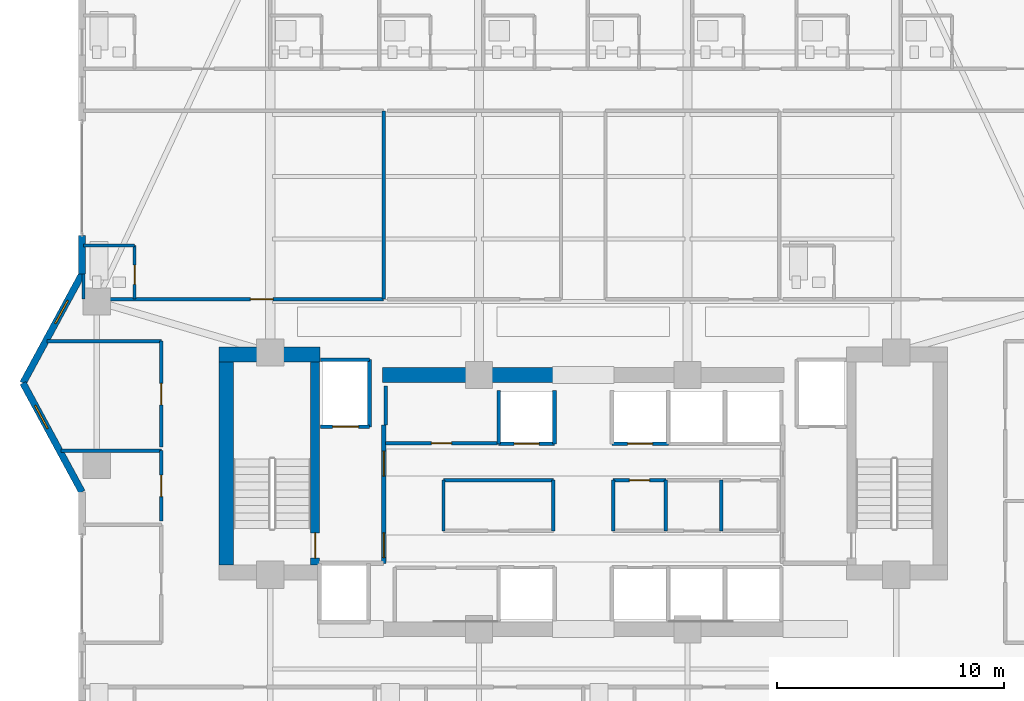
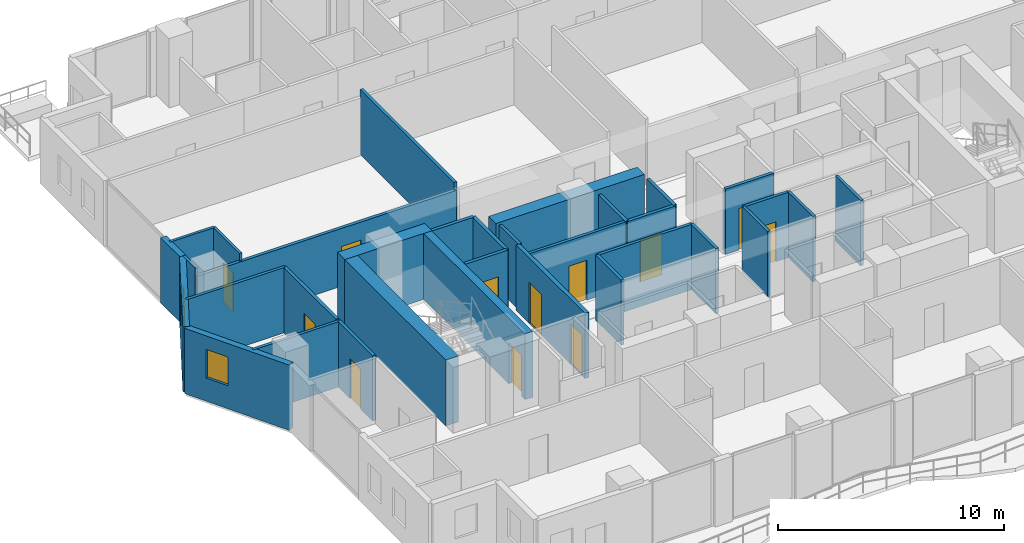
# One storey, part 25 of 33: 33 walls, 12 doors, 2 windows, 14 openings.
"""IFC4 building model written with IfcOpenShell, lengths in metres."""

import ifcopenshell
import ifcopenshell.guid

model = None  # the IFC model being written
_history = None  # IfcOwnerHistory: only IFC2X3 demands one
_inside = {}  # id of a spatial element -> (the spatial element, [elements in it])
_under = {}  # id of a project, library or spatial element -> (it, [spatial elements below it])
_declared = {}  # id of a project -> (the project, [libraries it declares])
_typed = {}  # id of a type object -> (the type object, [elements of that type])
_made_of = {}  # id of a material, layer set ... -> (it, [elements and type objects made of it])


def new_model(schema):
    """Start an empty IFC model of exactly this schema.

    Asked for "IFC4X3", IfcOpenShell would pick the latest addendum, in which some entities
    have other attributes; the version numbers below select the first issue.
    IFC2X3 requires an IfcOwnerHistory on every rooted entity: one is made here for all.
    """
    global model, _history
    if schema == "IFC4X3":
        model = ifcopenshell.file(schema_version=(4, 3, 0, 0))
    else:
        model = ifcopenshell.file(schema=schema)
    _inside.clear()
    _under.clear()
    _declared.clear()
    _typed.clear()
    _made_of.clear()
    _history = None
    if model.schema == "IFC2X3":
        org = make("IfcOrganization", Name="unknown")
        user = make(
            "IfcPersonAndOrganization",
            ThePerson=make("IfcPerson", FamilyName="unknown"),
            TheOrganization=org,
        )
        app = make(
            "IfcApplication",
            ApplicationDeveloper=org,
            Version="unknown",
            ApplicationFullName="unknown",
            ApplicationIdentifier="unknown",
        )
        _history = make(
            "IfcOwnerHistory",
            OwningUser=user,
            OwningApplication=app,
            ChangeAction="ADDED",
            CreationDate=0,
        )
    return model


def make(cls, **values):
    """One entity of the class cls with the attributes given. An attribute that is None is left unset."""
    return model.create_entity(
        cls, **{name: value for name, value in values.items() if value is not None}
    )


def rooted(cls, **values):
    """An entity with a GlobalId (a new one), such as an element, a storey or a relation."""
    return make(cls, GlobalId=ifcopenshell.guid.new(), OwnerHistory=_history, **values)


def si_unit(unit_type, name, prefix=None):
    """IfcSIUnit, for example si_unit("LENGTHUNIT", "METRE", prefix="MILLI")."""
    return make("IfcSIUnit", UnitType=unit_type, Prefix=prefix, Name=name)


def assignment(units):
    """IfcUnitAssignment: the units of a project."""
    return None if units is None else make("IfcUnitAssignment", Units=units)


def point(xyz):
    """IfcCartesianPoint."""
    return None if xyz is None else make("IfcCartesianPoint", Coordinates=xyz)


def direction(xyz):
    """IfcDirection."""
    return None if xyz is None else make("IfcDirection", DirectionRatios=xyz)


def frame(location, z_axis=None, x_axis=None):
    """IfcAxis2Placement3D, a coordinate frame: its origin and axes. An axis left out is left unset."""
    return make(
        "IfcAxis2Placement3D",
        Location=point(location),
        Axis=direction(z_axis),
        RefDirection=direction(x_axis),
    )


def frame_2d(location, x_axis=None):
    """IfcAxis2Placement2D, a coordinate frame in the plane: its origin and x axis."""
    return make(
        "IfcAxis2Placement2D", Location=point(location), RefDirection=direction(x_axis)
    )


def origin():
    """The frame at (0, 0, 0) with its axes left unset."""
    return frame((0.0, 0.0, 0.0))


def place(relative_to, where):
    """IfcLocalPlacement: puts the frame where relative to a parent placement (None: the world)."""
    return make(
        "IfcLocalPlacement", PlacementRelTo=relative_to, RelativePlacement=where
    )


def context(
    kind, dimensions, precision=None, world=None, true_north=None, identifier=None
):
    """IfcGeometricRepresentationContext, for example the 3D "Model" context."""
    return make(
        "IfcGeometricRepresentationContext",
        ContextIdentifier=identifier,
        ContextType=kind,
        CoordinateSpaceDimension=dimensions,
        Precision=precision,
        WorldCoordinateSystem=world,
        TrueNorth=true_north,
    )


def subcontext(parent, identifier, kind, view, scale=None):
    """IfcGeometricRepresentationSubContext, for example "Body" below "Model"."""
    return make(
        "IfcGeometricRepresentationSubContext",
        ContextIdentifier=identifier,
        ContextType=kind,
        ParentContext=parent,
        TargetScale=scale,
        TargetView=view,
    )


def project(units=None, contexts=None):
    """IfcProject with its units and contexts."""
    return rooted(
        "IfcProject",
        Name="project",
        RepresentationContexts=contexts,
        UnitsInContext=assignment(units),
    )


def spatial(cls, under=None, at=None, **own):
    """A site, building, storey or space (cls), placed at a placement, below another one or the project."""
    s = rooted(cls, ObjectPlacement=at, **own)
    if under is not None:
        _under.setdefault(under.id(), (under, []))[1].append(s)
    return s


def profile(cls, at=None, kind="AREA", **sizes):
    """A parametric profile (cls). Its sizes go by their IFC names, for example OverallWidth=200.0."""
    return make(cls, ProfileType=kind, Position=at, **sizes)


def rectangle(**sizes):
    """IfcRectangleProfileDef."""
    return profile("IfcRectangleProfileDef", **sizes)


def extrude(swept, where, along, depth):
    """IfcExtrudedAreaSolid: the profile swept, set in the frame where, extruded along a direction by depth."""
    return make(
        "IfcExtrudedAreaSolid",
        SweptArea=swept,
        Position=where,
        ExtrudedDirection=direction(along),
        Depth=depth,
    )


def shape(context_of_items, identifier, shape_type, items):
    """IfcShapeRepresentation: the items that make up one representation, for example the "Body"."""
    return make(
        "IfcShapeRepresentation",
        ContextOfItems=context_of_items,
        RepresentationIdentifier=identifier,
        RepresentationType=shape_type,
        Items=items,
    )


def material(Name=None, Category=None):
    """IfcMaterial."""
    return make("IfcMaterial", Name=Name, Category=Category)


def layer(
    of_material, thickness, ventilated=None, Name=None, Category=None, Priority=None
):
    """IfcMaterialLayer: one layer of a wall or slab, of a material (None: an air gap)."""
    return make(
        "IfcMaterialLayer",
        Material=of_material,
        LayerThickness=thickness,
        IsVentilated=ventilated,
        Name=Name,
        Category=Category,
        Priority=Priority,
    )


def layer_set(layers, Name=None):
    """IfcMaterialLayerSet."""
    return make("IfcMaterialLayerSet", MaterialLayers=layers, LayerSetName=Name)


def made_of(thing, what):
    """Note that an element or type object is made of a material, layer set ...; save() writes the relation."""
    if what is not None:
        _made_of.setdefault(what.id(), (what, []))[1].append(thing)
    return thing


def type_object(cls, material=None, **own):
    """A type object (cls), such as IfcWallType, which elements share."""
    return made_of(rooted(cls, **own), material)


def element(
    cls,
    number,
    at=None,
    inside=None,
    cuts=None,
    type_object=None,
    material=None,
    context=None,
    identifier="Body",
    shape_type=None,
    held_by="IfcProductDefinitionShape",
    body=None,
    shapes=None,
    **own,
):
    """One element of the class cls, such as IfcWall. Its Tag is "e" and its number.

    at: its placement. inside: the storey or other place that contains it. cuts: it is an
    opening in that element (IfcRelVoidsElement). A single representation is given by context,
    identifier, shape_type and body (its items); several are given by shapes. held_by: the class
    of the entity that holds the representations. save() writes the other relations.
    """
    e = rooted(cls, Tag="e%d" % number, ObjectPlacement=at, **own)
    if body is not None:
        shapes = [shape(context, identifier, shape_type, body)]
    if shapes is not None:
        e.Representation = make(held_by, Representations=shapes)
    if inside is not None:
        _inside.setdefault(inside.id(), (inside, []))[1].append(e)
    if cuts is not None:
        rooted(
            "IfcRelVoidsElement", RelatingBuildingElement=cuts, RelatedOpeningElement=e
        )
    if type_object is not None:
        _typed.setdefault(type_object.id(), (type_object, []))[1].append(e)
    return made_of(e, material)


def fill(opening, filler):
    """IfcRelFillsElement: the door or window that sits in an opening."""
    return rooted(
        "IfcRelFillsElement",
        RelatingOpeningElement=opening,
        RelatedBuildingElement=filler,
    )


def aggregate(whole, parts):
    """IfcRelAggregates: a whole, such as a stair, and the parts it consists of."""
    return rooted("IfcRelAggregates", RelatingObject=whole, RelatedObjects=parts)


def save(model, path):
    """Write the relations noted so far, then the file.

    IfcRelAggregates (storeys below a building ...), IfcRelContainedInSpatialStructure (elements
    in a storey), IfcRelDefinesByType, IfcRelAssociatesMaterial and IfcRelDeclares: one each for
    every whole, place, type object, material and project.
    """
    for whole, parts in _under.values():
        aggregate(whole, parts)
    for where, things in _inside.values():
        rooted(
            "IfcRelContainedInSpatialStructure",
            RelatedElements=things,
            RelatingStructure=where,
        )
    for kind, things in _typed.values():
        rooted("IfcRelDefinesByType", RelatedObjects=things, RelatingType=kind)
    for what, things in _made_of.values():
        rooted("IfcRelAssociatesMaterial", RelatedObjects=things, RelatingMaterial=what)
    for by, libraries in _declared.values():
        rooted("IfcRelDeclares", RelatingContext=by, RelatedDefinitions=libraries)
    model.write(path)


model = new_model("IFC4")

# Units and contexts
model_context = context("Model", 3, precision=1e-05, world=origin(), true_north=direction((0.0, 1.0)))
body_context = subcontext(model_context, "Body", "Model", "MODEL_VIEW")
ifc_project = project(units=[si_unit("LENGTHUNIT", "METRE"), si_unit("AREAUNIT", "SQUARE_METRE"), si_unit("VOLUMEUNIT", "CUBIC_METRE"), si_unit("PLANEANGLEUNIT", "RADIAN"), si_unit("MASSUNIT", "GRAM", prefix="KILO")], contexts=[model_context])

# Site, building, storey
site_placement = place(None, origin())
site = spatial("IfcSite", under=ifc_project, at=site_placement, CompositionType="ELEMENT")
building_placement = place(site_placement, origin())
building = spatial("IfcBuilding", under=site, at=building_placement, Name="Zuhayl Quay Hotel", CompositionType="ELEMENT")
storey_placement = place(building_placement, frame((0.0, 0.0, 222.39990234375)))
storey = spatial("IfcBuildingStorey", under=building, at=storey_placement, Name="L56", CompositionType="ELEMENT", Elevation=222.39990234375)

# Walls
ifc_material_1 = material(Name="Concrete C50/60", Category="concrete")
ifc_layer_1 = layer(ifc_material_1, 0.64990234375, Name="Concrete C50/60", Category="concrete")
ifc_layer_set_1 = layer_set([ifc_layer_1], Name="Concrete C50/60")
wall_type_1 = type_object("IfcWallType", Name="WL_CORE_650", PredefinedType="SHEAR", material=ifc_layer_set_1)
wall_1_placement = place(storey_placement, frame((-16.06005859375, 14.2548828125, 0.0), z_axis=(0.0, 0.0, 1.0), x_axis=(1.0, 0.0, 0.0)))
element("IfcWall", 1, at=wall_1_placement, inside=storey, type_object=wall_type_1, Name="L56 Core Shear Wall CW_NW", PredefinedType="SHEAR", context=body_context, shape_type="SweptSolid", body=[
    extrude(rectangle(XDim=4.4599609375, YDim=0.64990234375, at=frame_2d((2.22998046875, 0.0))), origin(), (0.0, 0.0, 1.0), 3.56005859375),
])
wall_2_placement = place(storey_placement, frame((-15.735107421875, 4.969970703125, 0.0), z_axis=(0.0, 0.0, 1.0), x_axis=(0.0, 1.0, 0.0)))
element("IfcWall", 2, at=wall_2_placement, inside=storey, type_object=wall_type_1, Name="L56 Core Shear Wall CW_W", PredefinedType="SHEAR", context=body_context, shape_type="SweptSolid", body=[
    extrude(rectangle(XDim=8.9599609375, YDim=0.64990234375, at=frame_2d((4.47998046875, 0.0))), origin(), (0.0, 0.0, 1.0), 3.56005859375),
])
wall_3_placement = place(storey_placement, frame((-8.85009765625, 13.35009765625, 0.0), z_axis=(0.0, 0.0, 1.0), x_axis=(1.0, 0.0, 0.0)))
element("IfcWall", 3, at=wall_3_placement, inside=storey, type_object=wall_type_1, Name="L56 Core Shear Wall CW_NC_W", PredefinedType="SHEAR", context=body_context, shape_type="SweptSolid", body=[
    extrude(rectangle(XDim=7.60009765625, YDim=0.64990234375, at=frame_2d((3.800048828125, 0.0))), origin(), (0.0, 0.0, 1.0), 3.530029296875),
])

# Wall, opening, window
ifc_material_2 = material(Name="Precast concrete C45/55", Category="concrete")
ifc_layer_2 = layer(ifc_material_2, 0.300048828125, Name="Precast concrete C45/55", Category="concrete")
ifc_layer_set_2 = layer_set([ifc_layer_2], Name="Precast concrete C45/55")
wall_type_2 = type_object("IfcWallType", Name="WL_EXT_300", PredefinedType="STANDARD", material=ifc_layer_set_2)
wall_4_placement = place(storey_placement, frame((-22.10009765625, 8.199951171875, 0.0), z_axis=(0.0, 0.0, 1.0), x_axis=(-0.476258655584, 0.879305233114, 0.0)))
wall_4 = element("IfcWall", 4, at=wall_4_placement, inside=storey, type_object=wall_type_2, Name="L56 Exterior Precast Wall ENV_L56_EW03", PredefinedType="STANDARD", context=body_context, shape_type="SweptSolid", body=[
    extrude(rectangle(XDim=5.458984375, YDim=0.300048828125, at=frame_2d((2.7294921875, 0.0))), origin(), (0.0, 0.0, 1.0), 3.530029296875),
])
opening_1_placement = place(wall_4_placement, frame((3.18505859375, 0.0, 1.25)))
opening_1 = element("IfcOpeningElement", 5, at=opening_1_placement, cuts=wall_4, Name="Opening W01N", PredefinedType="OPENING", context=body_context, shape_type="SweptSolid", body=[
    extrude(rectangle(XDim=1.14990234375, YDim=1.550048828125, at=frame_2d((0.574951171875, 0.77490234375))), frame((0.0, 0.159912109375, 0.0), z_axis=(0.0, -1.0, 0.0), x_axis=(1.0, 0.0, 0.0)), (0.0, 0.0, 1.0), 0.320068359375),
])
ifc_material_3 = material(Name="Dark Ceramic-Fritted Solar Glass", Category="glass")
window_type = type_object("IfcWindowType", Name="WN_NOTCH_1350", PartitioningType="SINGLE_PANEL", PredefinedType="WINDOW", material=ifc_material_3)
window_1_placement = place(opening_1_placement, origin())
window_1 = element("IfcWindow", 6, at=window_1_placement, inside=storey, type_object=window_type, Name="L56 Corner Notch Window 3", OverallHeight=1.550048828125, OverallWidth=1.14990234375, PartitioningType="SINGLE_PANEL", PredefinedType="WINDOW", context=body_context, shape_type="SweptSolid", body=[
    extrude(rectangle(XDim=1.14990234375, YDim=1.550048828125, at=frame_2d((0.574951171875, 0.77490234375))), frame((0.0, 0.030029296875, 0.0), z_axis=(0.0, -1.0, 0.0), x_axis=(1.0, 0.0, 0.0)), (0.0, 0.0, 1.0), 0.06005859375),
])
fill(opening_1, window_1)

wall_5_placement = place(storey_placement, frame((-24.699951171875, 13.0, 0.0), z_axis=(0.0, 0.0, 1.0), x_axis=(0.476258655584, 0.879305233114, 0.0)))
wall_5 = element("IfcWall", 7, at=wall_5_placement, inside=storey, type_object=wall_type_2, Name="L56 Exterior Precast Wall ENV_L56_EW04", PredefinedType="STANDARD", context=body_context, shape_type="SweptSolid", body=[
    extrude(rectangle(XDim=5.458984375, YDim=0.300048828125, at=frame_2d((2.7294921875, 0.0))), origin(), (0.0, 0.0, 1.0), 3.530029296875),
])
opening_2_placement = place(wall_5_placement, frame((2.9931640625, 0.0, 1.25)))
opening_2 = element("IfcOpeningElement", 8, at=opening_2_placement, cuts=wall_5, Name="Opening W01N", PredefinedType="OPENING", context=body_context, shape_type="SweptSolid", body=[
    extrude(rectangle(XDim=1.14990234375, YDim=1.550048828125, at=frame_2d((0.574951171875, 0.77490234375))), frame((0.0, 0.159912109375, 0.0), z_axis=(0.0, -1.0, 0.0), x_axis=(1.0, 0.0, 0.0)), (0.0, 0.0, 1.0), 0.320068359375),
])
window_2_placement = place(opening_2_placement, origin())
window_2 = element("IfcWindow", 9, at=window_2_placement, inside=storey, type_object=window_type, Name="L56 Corner Notch Window 4", OverallHeight=1.550048828125, OverallWidth=1.14990234375, PartitioningType="SINGLE_PANEL", PredefinedType="WINDOW", context=body_context, shape_type="SweptSolid", body=[
    extrude(rectangle(XDim=1.14990234375, YDim=1.550048828125, at=frame_2d((0.574951171875, 0.77490234375))), frame((0.0, 0.030029296875, 0.0), z_axis=(0.0, -1.0, 0.0), x_axis=(1.0, 0.0, 0.0)), (0.0, 0.0, 1.0), 0.06005859375),
])
fill(opening_2, window_2)

# Wall
wall_6_placement = place(storey_placement, frame((-22.10009765625, 17.800048828125, 0.0), z_axis=(0.0, 0.0, 1.0), x_axis=(0.0, 1.0, 0.0)))
element("IfcWall", 10, at=wall_6_placement, inside=storey, type_object=wall_type_2, Name="L56 Exterior Precast Wall ENV_L56_E05_EW1", PredefinedType="STANDARD", context=body_context, shape_type="SweptSolid", body=[
    extrude(rectangle(XDim=1.7099609375, YDim=0.300048828125, at=frame_2d((0.85498046875, 0.0))), origin(), (0.0, 0.0, 1.0), 3.530029296875),
])

# Wall, opening, door
ifc_material_4 = material(Name="Acoustic Gypsum Partition STC-58")
ifc_layer_3 = layer(ifc_material_4, 0.14990234375, Name="Acoustic Gypsum Partition STC-58")
ifc_layer_set_3 = layer_set([ifc_layer_3], Name="Acoustic Gypsum Partition STC-58")
wall_type_3 = type_object("IfcWallType", Name="WL_PART_150", PredefinedType="PARTITIONING", material=ifc_layer_set_3)
wall_7_placement = place(storey_placement, frame((-8.7099609375, 10.340087890625, 0.0), z_axis=(0.0, 0.0, 1.0), x_axis=(1.0, 0.0, 0.0)))
wall_7 = element("IfcWall", 11, at=wall_7_placement, inside=storey, type_object=wall_type_3, Name="L56 Partition IW_L56_FLP_N_S", PredefinedType="PARTITIONING", context=body_context, shape_type="SweptSolid", body=[
    extrude(rectangle(XDim=4.919921875, YDim=0.14990234375, at=frame_2d((2.4599609375, 0.0))), origin(), (0.0, 0.0, 1.0), 3.530029296875),
])
opening_3_placement = place(wall_7_placement, frame((2.010009765625, 0.0, 0.0)))
opening_3 = element("IfcOpeningElement", 12, at=opening_3_placement, cuts=wall_7, Name="Opening D06", PredefinedType="OPENING", context=body_context, shape_type="SweptSolid", body=[
    extrude(rectangle(XDim=0.89990234375, YDim=2.14990234375, at=frame_2d((0.449951171875, 1.074951171875))), frame((0.0, 0.0849609375, 0.0), z_axis=(0.0, -1.0, 0.0), x_axis=(1.0, 0.0, 0.0)), (0.0, 0.0, 1.0), 0.169921875),
])
ifc_material_5 = material(Name="Steel ASTM A992 Grade 50", Category="steel")
door_type_1 = type_object("IfcDoorType", Name="DR_INT_900", OperationType="NOTDEFINED", PredefinedType="DOOR", material=ifc_material_5)
door_1_placement = place(opening_3_placement, origin())
door_1 = element("IfcDoor", 13, at=door_1_placement, inside=storey, type_object=door_type_1, Name="L56 Housekeeping Linen Bay Door", OperationType="SINGLE_SWING_LEFT", OverallHeight=2.14990234375, OverallWidth=0.89990234375, PredefinedType="DOOR", context=body_context, shape_type="SweptSolid", body=[
    extrude(rectangle(XDim=0.89990234375, YDim=2.14990234375, at=frame_2d((0.449951171875, 1.074951171875))), frame((0.0, 0.02490234375, 0.0), z_axis=(0.0, -1.0, 0.0), x_axis=(1.0, 0.0, 0.0)), (0.0, 0.0, 1.0), 0.050048828125),
])
fill(opening_3, door_1)

wall_8_placement = place(storey_placement, frame((1.320068359375, 8.719970703125, 0.0), z_axis=(0.0, 0.0, 1.0), x_axis=(1.0, 0.0, 0.0)))
wall_8 = element("IfcWall", 14, at=wall_8_placement, inside=storey, type_object=wall_type_3, Name="L56 Partition IW_L56_CORE_E1_N", PredefinedType="PARTITIONING", context=body_context, shape_type="SweptSolid", body=[
    extrude(rectangle(XDim=2.31982421875, YDim=0.14990234375, at=frame_2d((1.159912109375, 0.0))), origin(), (0.0, 0.0, 1.0), 3.530029296875),
])
opening_4_placement = place(wall_8_placement, frame((0.7099609375, 0.0, 0.0)))
opening_4 = element("IfcOpeningElement", 15, at=opening_4_placement, cuts=wall_8, Name="Opening D06", PredefinedType="OPENING", context=body_context, shape_type="SweptSolid", body=[
    extrude(rectangle(XDim=0.89990234375, YDim=2.14990234375, at=frame_2d((0.449951171875, 1.074951171875))), frame((0.0, 0.0849609375, 0.0), z_axis=(0.0, -1.0, 0.0), x_axis=(1.0, 0.0, 0.0)), (0.0, 0.0, 1.0), 0.169921875),
])
door_2_placement = place(opening_4_placement, origin())
door_2 = element("IfcDoor", 16, at=door_2_placement, inside=storey, type_object=door_type_1, Name="L56 Floor Electrical Closet Door", OperationType="SINGLE_SWING_LEFT", OverallHeight=2.14990234375, OverallWidth=0.89990234375, PredefinedType="DOOR", context=body_context, shape_type="SweptSolid", body=[
    extrude(rectangle(XDim=0.89990234375, YDim=2.14990234375, at=frame_2d((0.449951171875, 1.074951171875))), frame((0.0, 0.02490234375, 0.0), z_axis=(0.0, -1.0, 0.0), x_axis=(1.0, 0.0, 0.0)), (0.0, 0.0, 1.0), 0.050048828125),
])
fill(opening_4, door_2)

# Walls
wall_9_placement = place(storey_placement, frame((-8.7099609375, 11.14990234375, 0.0), z_axis=(0.0, 0.0, 1.0), x_axis=(0.0, 1.0, 0.0)))
element("IfcWall", 17, at=wall_9_placement, inside=storey, type_object=wall_type_3, Name="L56 Partition IW_L56_FLP_N_W", PredefinedType="PARTITIONING", context=body_context, shape_type="SweptSolid", body=[
    extrude(rectangle(XDim=1.710205078125, YDim=0.14990234375, at=frame_2d((0.85498046875, 0.0))), origin(), (0.0, 0.0, 1.0), 3.530029296875),
])
wall_10_placement = place(storey_placement, frame((-6.159912109375, 8.719970703125, 0.0), z_axis=(0.0, 0.0, 1.0), x_axis=(1.0, 0.0, 0.0)))
element("IfcWall", 18, at=wall_10_placement, inside=storey, type_object=wall_type_3, Name="L56 Partition IW_L56_CORE_SV_N", PredefinedType="PARTITIONING", context=body_context, shape_type="SweptSolid", body=[
    extrude(rectangle(XDim=4.83984375, YDim=0.14990234375, at=frame_2d((2.419921875, 0.0))), origin(), (0.0, 0.0, 1.0), 3.530029296875),
])
for number, where, z_axis, x_axis, name in (
    (19, (-6.159912109375, 6.47998046875, 0.0), (0.0, 0.0, 1.0), (0.0, 1.0, 0.0), "L56 Partition IW_L56_CORE_SV_W"),
    (20, (-1.320068359375, 6.47998046875, 0.0), (0.0, 0.0, 1.0), (0.0, 1.0, 0.0), "L56 Partition IW_L56_CORE_SV_E"),
    (21, (1.320068359375, 6.47998046875, 0.0), (0.0, 0.0, 1.0), (0.0, 1.0, 0.0), "L56 Partition IW_L56_CORE_E1_W"),
    (22, (3.639892578125, 6.47998046875, 0.0), (0.0, 0.0, 1.0), (0.0, 1.0, 0.0), "L56 Partition IW_L56_CORE_E1_E"),
    (23, (6.080078125, 6.47998046875, 0.0), (0.0, 0.0, 1.0), (0.0, 1.0, 0.0), "L56 Partition IW_L56_CORE_E2_E"),
):
    element("IfcWall", number, at=place(storey_placement, frame(where, z_axis=z_axis, x_axis=x_axis)), inside=storey, type_object=wall_type_3, Name=name, PredefinedType="PARTITIONING", context=body_context, shape_type="SweptSolid", body=[
        extrude(rectangle(XDim=2.239990234375, YDim=0.14990234375, at=frame_2d((1.1201171875, 0.0))), origin(), (0.0, 0.0, 1.0), 3.530029296875),
    ])
wall_11_placement = place(storey_placement, frame((-8.800048828125, 16.699951171875, 0.0), z_axis=(0.0, 0.0, 1.0), x_axis=(0.0, 1.0, 0.0)))
element("IfcWall", 24, at=wall_11_placement, inside=storey, type_object=wall_type_3, Name="L56 Partition IW_L56_MU01_E", PredefinedType="PARTITIONING", context=body_context, shape_type="SweptSolid", body=[
    extrude(rectangle(XDim=8.300048828125, YDim=0.14990234375, at=frame_2d((4.14990234375, 0.0))), origin(), (0.0, 0.0, 1.0), 3.530029296875),
])
wall_12_placement = place(storey_placement, frame((-23.02587890625, 10.02001953125, 0.0), z_axis=(0.0, 0.0, 1.0), x_axis=(1.0, 0.0, 0.0)))
element("IfcWall", 25, at=wall_12_placement, inside=storey, type_object=wall_type_3, Name="L56 Partition IW_L56_WPROW_2_N", PredefinedType="PARTITIONING", context=body_context, shape_type="SweptSolid", body=[
    extrude(rectangle(XDim=4.42578125, YDim=0.14990234375, at=frame_2d((2.212890625, 0.0))), origin(), (0.0, 0.0, 1.0), 3.530029296875),
])
wall_13_placement = place(storey_placement, frame((-23.637939453125, 14.85009765625, 0.0), z_axis=(0.0, 0.0, 1.0), x_axis=(1.0, 0.0, 0.0)))
element("IfcWall", 26, at=wall_13_placement, inside=storey, type_object=wall_type_3, Name="L56 Partition IW_L56_WPROW_3_N", PredefinedType="PARTITIONING", context=body_context, shape_type="SweptSolid", body=[
    extrude(rectangle(XDim=5.037841796875, YDim=0.14990234375, at=frame_2d((2.51904296875, 0.0))), origin(), (0.0, 0.0, 1.0), 3.530029296875),
])

# Wall, opening, door
ifc_layer_4 = layer(ifc_material_4, 0.159912109375, Name="Acoustic Gypsum Partition STC-58")
ifc_layer_set_4 = layer_set([ifc_layer_4], Name="Acoustic Gypsum Partition STC-58")
wall_type_4 = type_object("IfcWallType", Name="WL_PART_CORR_160", PredefinedType="PARTITIONING", material=ifc_layer_set_4)
wall_14_placement = place(storey_placement, frame((-22.0400390625, 16.699951171875, 0.0), z_axis=(0.0, 0.0, 1.0), x_axis=(1.0, 0.0, 0.0)))
wall_14 = element("IfcWall", 27, at=wall_14_placement, inside=storey, type_object=wall_type_4, Name="L56 Partition IW_L56_MU01_COR", PredefinedType="PARTITIONING", context=body_context, shape_type="SweptSolid", body=[
    extrude(rectangle(XDim=13.239990234375, YDim=0.159912109375, at=frame_2d((6.6201171875, 0.0))), origin(), (0.0, 0.0, 1.0), 3.1240234375),
])
opening_5_placement = place(wall_14_placement, frame((7.364990234375, 0.0, 0.0)))
opening_5 = element("IfcOpeningElement", 28, at=opening_5_placement, cuts=wall_14, Name="Opening D03L", PredefinedType="OPENING", context=body_context, shape_type="SweptSolid", body=[
    extrude(rectangle(XDim=1.0, YDim=2.14990234375, at=frame_2d((0.5, 1.074951171875))), frame((0.0, 0.08984375, 0.0), z_axis=(0.0, -1.0, 0.0), x_axis=(1.0, 0.0, 0.0)), (0.0, 0.0, 1.0), 0.179931640625),
])
ifc_material_6 = material(Name="Solid Walnut Acoustic Fire Door")
door_type_2 = type_object("IfcDoorType", Name="DR_SUITE_1000", OperationType="NOTDEFINED", PredefinedType="DOOR", material=ifc_material_6)
door_3_placement = place(opening_5_placement, origin())
door_3 = element("IfcDoor", 29, at=door_3_placement, inside=storey, type_object=door_type_2, Name="L56 Club Junior Suite L56-M1 Entrance Door", OperationType="SINGLE_SWING_LEFT", OverallHeight=2.14990234375, OverallWidth=1.0, PredefinedType="DOOR", context=body_context, shape_type="SweptSolid", body=[
    extrude(rectangle(XDim=1.0, YDim=2.14990234375, at=frame_2d((0.5, 1.074951171875))), frame((0.0, 0.02490234375, 0.0), z_axis=(0.0, -1.0, 0.0), x_axis=(1.0, 0.0, 0.0)), (0.0, 0.0, 1.0), 0.050048828125),
])
fill(opening_5, door_3)

wall_15_placement = place(storey_placement, frame((-18.60009765625, 6.909912109375, 0.0), z_axis=(0.0, 0.0, 1.0), x_axis=(0.0, 1.0, 0.0)))
wall_15 = element("IfcWall", 30, at=wall_15_placement, inside=storey, type_object=wall_type_4, Name="L56 Partition IW_L56_WPROW_2_E", PredefinedType="PARTITIONING", context=body_context, shape_type="SweptSolid", body=[
    extrude(rectangle(XDim=3.110107421875, YDim=0.159912109375, at=frame_2d((1.55517578125, 0.0))), origin(), (0.0, 0.0, 1.0), 3.530029296875),
])
opening_6_placement = place(wall_15_placement, frame((1.080078125, 0.0, 0.0)))
opening_6 = element("IfcOpeningElement", 31, at=opening_6_placement, cuts=wall_15, Name="Opening D03", PredefinedType="OPENING", context=body_context, shape_type="SweptSolid", body=[
    extrude(rectangle(XDim=0.949951171875, YDim=2.14990234375, at=frame_2d((0.47509765625, 1.074951171875))), frame((0.0, 0.08984375, 0.0), z_axis=(0.0, -1.0, 0.0), x_axis=(1.0, 0.0, 0.0)), (0.0, 0.0, 1.0), 0.179931640625),
])
door_type_3 = type_object("IfcDoorType", Name="DR_SUITE_950", OperationType="NOTDEFINED", PredefinedType="DOOR", material=ifc_material_6)
door_4_placement = place(opening_6_placement, origin())
door_4 = element("IfcDoor", 32, at=door_4_placement, inside=storey, type_object=door_type_3, Name="L56 Sunset Tea Salon L56 Door", OperationType="SINGLE_SWING_LEFT", OverallHeight=2.14990234375, OverallWidth=0.949951171875, PredefinedType="DOOR", context=body_context, shape_type="SweptSolid", body=[
    extrude(rectangle(XDim=0.949951171875, YDim=2.14990234375, at=frame_2d((0.47509765625, 1.074951171875))), frame((0.0, 0.02490234375, 0.0), z_axis=(0.0, -1.0, 0.0), x_axis=(1.0, 0.0, 0.0)), (0.0, 0.0, 1.0), 0.050048828125),
])
fill(opening_6, door_4)

wall_16_placement = place(storey_placement, frame((-18.60009765625, 10.179931640625, 0.0), z_axis=(0.0, 0.0, 1.0), x_axis=(0.0, 1.0, 0.0)))
wall_16 = element("IfcWall", 33, at=wall_16_placement, inside=storey, type_object=wall_type_4, Name="L56 Partition IW_L56_WPROW_3_E", PredefinedType="PARTITIONING", context=body_context, shape_type="SweptSolid", body=[
    extrude(rectangle(XDim=4.670166015625, YDim=0.159912109375, at=frame_2d((2.3349609375, 0.0))), origin(), (0.0, 0.0, 1.0), 3.530029296875),
])
opening_7_placement = place(wall_16_placement, frame((1.860107421875, 0.0, 0.0)))
opening_7 = element("IfcOpeningElement", 34, at=opening_7_placement, cuts=wall_16, Name="Opening D03", PredefinedType="OPENING", context=body_context, shape_type="SweptSolid", body=[
    extrude(rectangle(XDim=0.949951171875, YDim=2.14990234375, at=frame_2d((0.47509765625, 1.074951171875))), frame((0.0, 0.08984375, 0.0), z_axis=(0.0, -1.0, 0.0), x_axis=(1.0, 0.0, 0.0)), (0.0, 0.0, 1.0), 0.179931640625),
])
door_5_placement = place(opening_7_placement, origin())
door_5 = element("IfcDoor", 35, at=door_5_placement, inside=storey, type_object=door_type_3, Name="L56 West Horizon Salon L56 Door", OperationType="SINGLE_SWING_RIGHT", OverallHeight=2.14990234375, OverallWidth=0.949951171875, PredefinedType="DOOR", context=body_context, shape_type="SweptSolid", body=[
    extrude(rectangle(XDim=0.949951171875, YDim=2.14990234375, at=frame_2d((0.47509765625, 1.074951171875))), frame((0.0, 0.02490234375, 0.0), z_axis=(0.0, -1.0, 0.0), x_axis=(1.0, 0.0, 0.0)), (0.0, 0.0, 1.0), 0.050048828125),
])
fill(opening_7, door_5)

ifc_material_7 = material(Name="Moisture-Resistant Sanitarychase Gypsum")
ifc_layer_5 = layer(ifc_material_7, 0.135009765625, Name="Moisture-Resistant Sanitarychase Gypsum")
ifc_layer_set_5 = layer_set([ifc_layer_5], Name="Moisture-Resistant Sanitarychase Gypsum")
wall_type_5 = type_object("IfcWallType", Name="WL_PART_PLUMB_150", PredefinedType="PLUMBINGWALL", material=ifc_layer_set_5)
wall_17_placement = place(storey_placement, frame((-19.780029296875, 16.699951171875, 0.0), z_axis=(0.0, 0.0, 1.0), x_axis=(0.0, 1.0, 0.0)))
wall_17 = element("IfcWall", 36, at=wall_17_placement, inside=storey, type_object=wall_type_5, Name="L56 Partition IW_L56_MU01_BE", PredefinedType="PLUMBINGWALL", context=body_context, shape_type="SweptSolid", body=[
    extrude(rectangle(XDim=2.360107421875, YDim=0.135009765625, at=frame_2d((1.18017578125, 0.0))), origin(), (0.0, 0.0, 1.0), 3.530029296875),
])
opening_8_placement = place(wall_17_placement, frame((0.64990234375, 0.0, 0.0)))
opening_8 = element("IfcOpeningElement", 37, at=opening_8_placement, cuts=wall_17, Name="Opening D04", PredefinedType="OPENING", context=body_context, shape_type="SweptSolid", body=[
    extrude(rectangle(XDim=0.85009765625, YDim=2.10009765625, at=frame_2d((0.425048828125, 1.050048828125))), frame((0.0, 0.077392578125, 0.0), z_axis=(0.0, -1.0, 0.0), x_axis=(1.0, 0.0, 0.0)), (0.0, 0.0, 1.0), 0.155029296875),
])
ifc_material_8 = material(Name="Moisture-Resistant Walnut Veneer")
door_type_4 = type_object("IfcDoorType", Name="DR_BATH_850", OperationType="NOTDEFINED", PredefinedType="DOOR", material=ifc_material_8)
door_6_placement = place(opening_8_placement, origin())
door_6 = element("IfcDoor", 38, at=door_6_placement, inside=storey, type_object=door_type_4, Name="L56 Club Junior Suite L56-M1 En-Suite Door", OperationType="SINGLE_SWING_RIGHT", OverallHeight=2.10009765625, OverallWidth=0.85009765625, PredefinedType="DOOR", context=body_context, shape_type="SweptSolid", body=[
    extrude(rectangle(XDim=0.85009765625, YDim=2.10009765625, at=frame_2d((0.425048828125, 1.050048828125))), frame((0.0, 0.02490234375, 0.0), z_axis=(0.0, -1.0, 0.0), x_axis=(1.0, 0.0, 0.0)), (0.0, 0.0, 1.0), 0.050048828125),
])
fill(opening_8, door_6)

# Walls
wall_18_placement = place(storey_placement, frame((-22.0400390625, 19.06005859375, 0.0), z_axis=(0.0, 0.0, 1.0), x_axis=(1.0, 0.0, 0.0)))
element("IfcWall", 39, at=wall_18_placement, inside=storey, type_object=wall_type_5, Name="L56 Partition IW_L56_MU01_BN", PredefinedType="PLUMBINGWALL", context=body_context, shape_type="SweptSolid", body=[
    extrude(rectangle(XDim=2.260009765625, YDim=0.135009765625, at=frame_2d((1.1298828125, 0.0))), origin(), (0.0, 0.0, 1.0), 3.530029296875),
])
wall_19_placement = place(storey_placement, frame((-22.0400390625, 16.699951171875, 0.0), z_axis=(0.0, 0.0, 1.0), x_axis=(0.0, 1.0, 0.0)))
element("IfcWall", 40, at=wall_19_placement, inside=storey, type_object=wall_type_5, Name="L56 Partition IW_L56_MU01_BW", PredefinedType="PLUMBINGWALL", context=body_context, shape_type="SweptSolid", body=[
    extrude(rectangle(XDim=1.10009765625, YDim=0.135009765625, at=frame_2d((0.550048828125, 0.0))), origin(), (0.0, 0.0, 1.0), 3.530029296875),
])

# Wall, opening, door
ifc_material_9 = material(Name="Gypsum Fireboard Assembly EI-90")
ifc_layer_6 = layer(ifc_material_9, 0.1650390625, Name="Gypsum Fireboard Assembly EI-90")
ifc_layer_set_6 = layer_set([ifc_layer_6], Name="Gypsum Fireboard Assembly EI-90")
wall_type_6 = type_object("IfcWallType", Name="WL_PART_SHAFT_160", PredefinedType="PARTITIONING", material=ifc_layer_set_6)
wall_20_placement = place(storey_placement, frame((-11.580078125, 11.070068359375, 0.0), z_axis=(0.0, 0.0, 1.0), x_axis=(1.0, 0.0, 0.0)))
wall_20 = element("IfcWall", 41, at=wall_20_placement, inside=storey, type_object=wall_type_6, Name="L56 Partition IW_L56_SH_FL1_F", PredefinedType="PARTITIONING", context=body_context, shape_type="SweptSolid", body=[
    extrude(rectangle(XDim=2.16015625, YDim=0.1650390625, at=frame_2d((1.080078125, 0.0))), origin(), (0.0, 0.0, 1.0), 3.530029296875),
])
opening_9_placement = place(wall_20_placement, frame((0.530029296875, 0.0, 0.0)))
opening_9 = element("IfcOpeningElement", 42, at=opening_9_placement, cuts=wall_20, Name="Opening LD2", PredefinedType="OPENING", context=body_context, shape_type="SweptSolid", body=[
    extrude(rectangle(XDim=1.14990234375, YDim=2.25, at=frame_2d((0.574951171875, 1.125))), frame((0.0, 0.092529296875, 0.0), z_axis=(0.0, -1.0, 0.0), x_axis=(1.0, 0.0, 0.0)), (0.0, 0.0, 1.0), 0.18505859375),
])
ifc_material_10 = material(Name="Brushed Stainless Steel", Category="steel")
door_type_5 = type_object("IfcDoorType", Name="DR_LIFT_FF_1100", OperationType="SLIDING_TO_LEFT", PredefinedType="DOOR", material=ifc_material_10)
door_7_placement = place(opening_9_placement, origin())
door_7 = element("IfcDoor", 43, at=door_7_placement, inside=storey, type_object=door_type_5, Name="L56 Lift FL1 Sliding Landing Door", OperationType="SLIDING_TO_LEFT", OverallHeight=2.25, OverallWidth=1.14990234375, PredefinedType="DOOR", context=body_context, shape_type="SweptSolid", body=[
    extrude(rectangle(XDim=1.14990234375, YDim=2.25, at=frame_2d((0.574951171875, 1.125))), frame((0.0, 0.02490234375, 0.0), z_axis=(0.0, -1.0, 0.0), x_axis=(1.0, 0.0, 0.0)), (0.0, 0.0, 1.0), 0.050048828125),
])
fill(opening_9, door_7)

wall_21_placement = place(storey_placement, frame((-3.72998046875, 10.320068359375, 0.0), z_axis=(0.0, 0.0, 1.0), x_axis=(1.0, 0.0, 0.0)))
wall_21 = element("IfcWall", 44, at=wall_21_placement, inside=storey, type_object=wall_type_6, Name="L56 Partition IW_L56_SH_MP3_F", PredefinedType="PARTITIONING", context=body_context, shape_type="SweptSolid", body=[
    extrude(rectangle(XDim=2.4599609375, YDim=0.1650390625, at=frame_2d((1.22998046875, 0.0))), origin(), (0.0, 0.0, 1.0), 3.530029296875),
])
opening_10_placement = place(wall_21_placement, frame((0.679931640625, 0.0, 0.0)))
opening_10 = element("IfcOpeningElement", 45, at=opening_10_placement, cuts=wall_21, Name="Opening LD1", PredefinedType="OPENING", context=body_context, shape_type="SweptSolid", body=[
    extrude(rectangle(XDim=1.10009765625, YDim=2.25, at=frame_2d((0.550048828125, 1.125))), frame((0.0, 0.092529296875, 0.0), z_axis=(0.0, -1.0, 0.0), x_axis=(1.0, 0.0, 0.0)), (0.0, 0.0, 1.0), 0.18505859375),
])
door_type_6 = type_object("IfcDoorType", Name="DR_LIFT_PASS_1100", OperationType="SLIDING_TO_LEFT", PredefinedType="DOOR", material=ifc_material_10)
door_8_placement = place(opening_10_placement, origin())
door_8 = element("IfcDoor", 46, at=door_8_placement, inside=storey, type_object=door_type_6, Name="L56 Lift MP3 Sliding Landing Door", OperationType="SLIDING_TO_LEFT", OverallHeight=2.25, OverallWidth=1.10009765625, PredefinedType="DOOR", context=body_context, shape_type="SweptSolid", body=[
    extrude(rectangle(XDim=1.10009765625, YDim=2.25, at=frame_2d((0.550048828125, 1.125))), frame((0.0, 0.02490234375, 0.0), z_axis=(0.0, -1.0, 0.0), x_axis=(1.0, 0.0, 0.0)), (0.0, 0.0, 1.0), 0.050048828125),
])
fill(opening_10, door_8)

wall_22_placement = place(storey_placement, frame((1.27001953125, 10.320068359375, 0.0), z_axis=(0.0, 0.0, 1.0), x_axis=(1.0, 0.0, 0.0)))
wall_22 = element("IfcWall", 47, at=wall_22_placement, inside=storey, type_object=wall_type_6, Name="L56 Partition IW_L56_SH_MP4_F", PredefinedType="PARTITIONING", context=body_context, shape_type="SweptSolid", body=[
    extrude(rectangle(XDim=2.47998046875, YDim=0.1650390625, at=frame_2d((1.239990234375, 0.0))), origin(), (0.0, 0.0, 1.0), 3.530029296875),
])
opening_11_placement = place(wall_22_placement, frame((0.68994140625, 0.0, 0.0)))
opening_11 = element("IfcOpeningElement", 48, at=opening_11_placement, cuts=wall_22, Name="Opening LD1", PredefinedType="OPENING", context=body_context, shape_type="SweptSolid", body=[
    extrude(rectangle(XDim=1.10009765625, YDim=2.25, at=frame_2d((0.550048828125, 1.125))), frame((0.0, 0.092529296875, 0.0), z_axis=(0.0, -1.0, 0.0), x_axis=(1.0, 0.0, 0.0)), (0.0, 0.0, 1.0), 0.18505859375),
])
door_9_placement = place(opening_11_placement, origin())
door_9 = element("IfcDoor", 49, at=door_9_placement, inside=storey, type_object=door_type_6, Name="L56 Lift MP4 Sliding Landing Door", OperationType="SLIDING_TO_LEFT", OverallHeight=2.25, OverallWidth=1.10009765625, PredefinedType="DOOR", context=body_context, shape_type="SweptSolid", body=[
    extrude(rectangle(XDim=1.10009765625, YDim=2.25, at=frame_2d((0.550048828125, 1.125))), frame((0.0, 0.02490234375, 0.0), z_axis=(0.0, -1.0, 0.0), x_axis=(1.0, 0.0, 0.0)), (0.0, 0.0, 1.0), 0.050048828125),
])
fill(opening_11, door_9)

# Walls
wall_23_placement = place(storey_placement, frame((-9.419921875, 11.070068359375, 0.0), z_axis=(0.0, 0.0, 1.0), x_axis=(0.0, 1.0, 0.0)))
element("IfcWall", 50, at=wall_23_placement, inside=storey, type_object=wall_type_6, Name="L56 Partition IW_L56_SH_FL1_E", PredefinedType="PARTITIONING", context=body_context, shape_type="SweptSolid", body=[
    extrude(rectangle(XDim=2.9599609375, YDim=0.1650390625, at=frame_2d((1.47998046875, 0.0))), origin(), (0.0, 0.0, 1.0), 3.530029296875),
])
wall_24_placement = place(storey_placement, frame((-11.580078125, 14.030029296875, 0.0), z_axis=(0.0, 0.0, 1.0), x_axis=(1.0, 0.0, 0.0)))
element("IfcWall", 51, at=wall_24_placement, inside=storey, type_object=wall_type_6, Name="L56 Partition IW_L56_SH_FL1_B", PredefinedType="PARTITIONING", context=body_context, shape_type="SweptSolid", body=[
    extrude(rectangle(XDim=2.16015625, YDim=0.1650390625, at=frame_2d((1.080078125, 0.0))), origin(), (0.0, 0.0, 1.0), 3.530029296875),
])
for number, where, z_axis, x_axis, name in (
    (52, (-3.72998046875, 10.320068359375, 0.0), (0.0, 0.0, 1.0), (0.0, 1.0, 0.0), "L56 Partition IW_L56_SH_MP3_W"),
    (53, (-1.27001953125, 10.320068359375, 0.0), (0.0, 0.0, 1.0), (0.0, 1.0, 0.0), "L56 Partition IW_L56_SH_MP3_E"),
):
    element("IfcWall", number, at=place(storey_placement, frame(where, z_axis=z_axis, x_axis=x_axis)), inside=storey, type_object=wall_type_6, Name=name, PredefinedType="PARTITIONING", context=body_context, shape_type="SweptSolid", body=[
        extrude(rectangle(XDim=2.35986328125, YDim=0.1650390625, at=frame_2d((1.179931640625, 0.0))), origin(), (0.0, 0.0, 1.0), 3.530029296875),
    ])

# Wall, openings, doors
ifc_material_11 = material(Name="Gypsum Fireboard Assembly EI-120")
ifc_layer_7 = layer(ifc_material_11, 0.199951171875, Name="Gypsum Fireboard Assembly EI-120")
ifc_layer_set_7 = layer_set([ifc_layer_7], Name="Gypsum Fireboard Assembly EI-120")
wall_type_7 = type_object("IfcWallType", Name="WL_PART_SHAFT_200", PredefinedType="PARTITIONING", material=ifc_layer_set_7)
wall_25_placement = place(storey_placement, frame((-8.800048828125, 5.050048828125, 0.0), z_axis=(0.0, 0.0, 1.0), x_axis=(0.0, 1.0, 0.0)))
wall_25 = element("IfcWall", 54, at=wall_25_placement, inside=storey, type_object=wall_type_7, Name="L56 Partition IW_L56_FSAE_W_E", PredefinedType="PARTITIONING", context=body_context, shape_type="SweptSolid", body=[
    extrude(rectangle(XDim=6.099853515625, YDim=0.199951171875, at=frame_2d((3.0498046875, 0.0))), origin(), (0.0, 0.0, 1.0), 3.530029296875),
])
opening_12_placement = place(wall_25_placement, frame((0.25, 0.0, 0.0)))
opening_12 = element("IfcOpeningElement", 55, at=opening_12_placement, cuts=wall_25, Name="Opening D02", PredefinedType="OPENING", context=body_context, shape_type="SweptSolid", body=[
    extrude(rectangle(XDim=1.10009765625, YDim=2.199951171875, at=frame_2d((0.550048828125, 1.10009765625))), frame((0.0, 0.10986328125, 0.0), z_axis=(0.0, -1.0, 0.0), x_axis=(1.0, 0.0, 0.0)), (0.0, 0.0, 1.0), 0.219970703125),
])
opening_13_placement = place(wall_25_placement, frame((3.85009765625, 0.0, 0.0)))
opening_13 = element("IfcOpeningElement", 56, at=opening_13_placement, cuts=wall_25, Name="Opening D02", PredefinedType="OPENING", context=body_context, shape_type="SweptSolid", body=[
    extrude(rectangle(XDim=1.10009765625, YDim=2.199951171875, at=frame_2d((0.550048828125, 1.10009765625))), frame((0.0, 0.10986328125, 0.0), z_axis=(0.0, -1.0, 0.0), x_axis=(1.0, 0.0, 0.0)), (0.0, 0.0, 1.0), 0.219970703125),
])
door_type_7 = type_object("IfcDoorType", Name="DR_FIRE_90_1100", OperationType="NOTDEFINED", PredefinedType="DOOR", material=ifc_material_5)
door_10_placement = place(opening_12_placement, origin())
door_10 = element("IfcDoor", 57, at=door_10_placement, inside=storey, type_object=door_type_7, Name="L56 FSAE Lobby West South Entry Door", OperationType="SINGLE_SWING_RIGHT", OverallHeight=2.199951171875, OverallWidth=1.10009765625, PredefinedType="DOOR", context=body_context, shape_type="SweptSolid", body=[
    extrude(rectangle(XDim=1.10009765625, YDim=2.199951171875, at=frame_2d((0.550048828125, 1.10009765625))), frame((0.0, 0.02490234375, 0.0), z_axis=(0.0, -1.0, 0.0), x_axis=(1.0, 0.0, 0.0)), (0.0, 0.0, 1.0), 0.050048828125),
])
fill(opening_12, door_10)
door_11_placement = place(opening_13_placement, origin())
door_11 = element("IfcDoor", 58, at=door_11_placement, inside=storey, type_object=door_type_7, Name="L56 FSAE Lobby West North Entry Door", OperationType="SINGLE_SWING_LEFT", OverallHeight=2.199951171875, OverallWidth=1.10009765625, PredefinedType="DOOR", context=body_context, shape_type="SweptSolid", body=[
    extrude(rectangle(XDim=1.10009765625, YDim=2.199951171875, at=frame_2d((0.550048828125, 1.10009765625))), frame((0.0, 0.02490234375, 0.0), z_axis=(0.0, -1.0, 0.0), x_axis=(1.0, 0.0, 0.0)), (0.0, 0.0, 1.0), 0.050048828125),
])
fill(opening_13, door_11)

# Wall, opening, door
ifc_material_12 = material(Name="Concrete C60/75", Category="concrete")
ifc_layer_8 = layer(ifc_material_12, 0.39990234375, Name="Concrete C60/75", Category="concrete")
ifc_layer_set_8 = layer_set([ifc_layer_8], Name="Concrete C60/75")
wall_type_8 = type_object("IfcWallType", Name="WL_STAIR_400", PredefinedType="SHEAR", material=ifc_layer_set_8)
wall_26_placement = place(storey_placement, frame((-11.820068359375, 4.969970703125, 0.0), z_axis=(0.0, 0.0, 1.0), x_axis=(0.0, 1.0, 0.0)))
wall_26 = element("IfcWall", 59, at=wall_26_placement, inside=storey, type_object=wall_type_8, Name="L56 Core Shear Wall SW_ST1", PredefinedType="SHEAR", context=body_context, shape_type="SweptSolid", body=[
    extrude(rectangle(XDim=8.9599609375, YDim=0.39990234375, at=frame_2d((4.47998046875, 0.0))), origin(), (0.0, 0.0, 1.0), 3.56005859375),
])
opening_14_placement = place(wall_26_placement, frame((0.31005859375, 0.0, 0.0)))
opening_14 = element("IfcOpeningElement", 60, at=opening_14_placement, cuts=wall_26, Name="Opening D01", PredefinedType="OPENING", context=body_context, shape_type="SweptSolid", body=[
    extrude(rectangle(XDim=1.1201171875, YDim=2.219970703125, at=frame_2d((0.56005859375, 1.10986328125))), frame((0.0, 0.2099609375, 0.0), z_axis=(0.0, -1.0, 0.0), x_axis=(1.0, 0.0, 0.0)), (0.0, 0.0, 1.0), 0.419921875),
])
door_type_8 = type_object("IfcDoorType", Name="DR_STAIR_90_1100", OperationType="NOTDEFINED", PredefinedType="DOOR", material=ifc_material_5)
door_12_placement = place(opening_14_placement, origin())
door_12 = element("IfcDoor", 61, at=door_12_placement, inside=storey, type_object=door_type_8, Name="L56 Smokeproof Exit Stair ST1 Door", OperationType="SINGLE_SWING_LEFT", OverallHeight=2.219970703125, OverallWidth=1.1201171875, PredefinedType="DOOR", context=body_context, shape_type="SweptSolid", body=[
    extrude(rectangle(XDim=1.1201171875, YDim=2.219970703125, at=frame_2d((0.56005859375, 1.10986328125))), frame((0.0, 0.02490234375, 0.0), z_axis=(0.0, -1.0, 0.0), x_axis=(1.0, 0.0, 0.0)), (0.0, 0.0, 1.0), 0.050048828125),
])
fill(opening_14, door_12)

save(model, "model.ifc")
